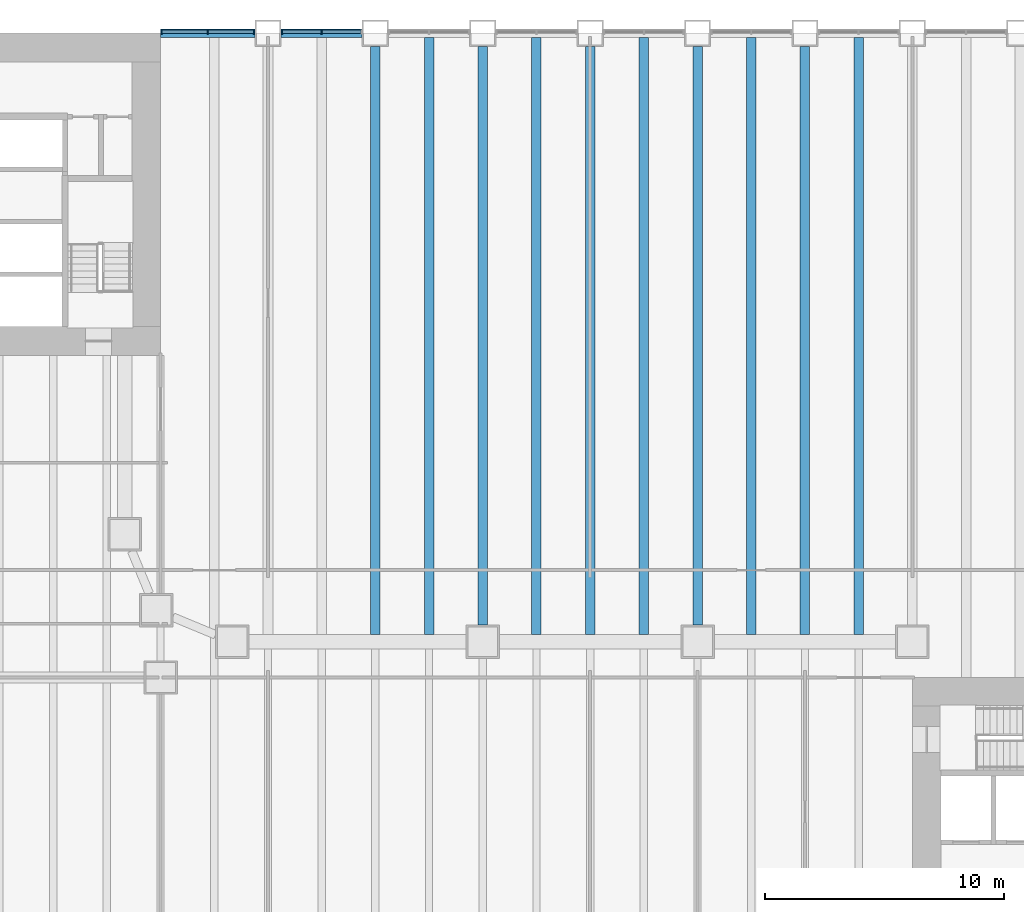
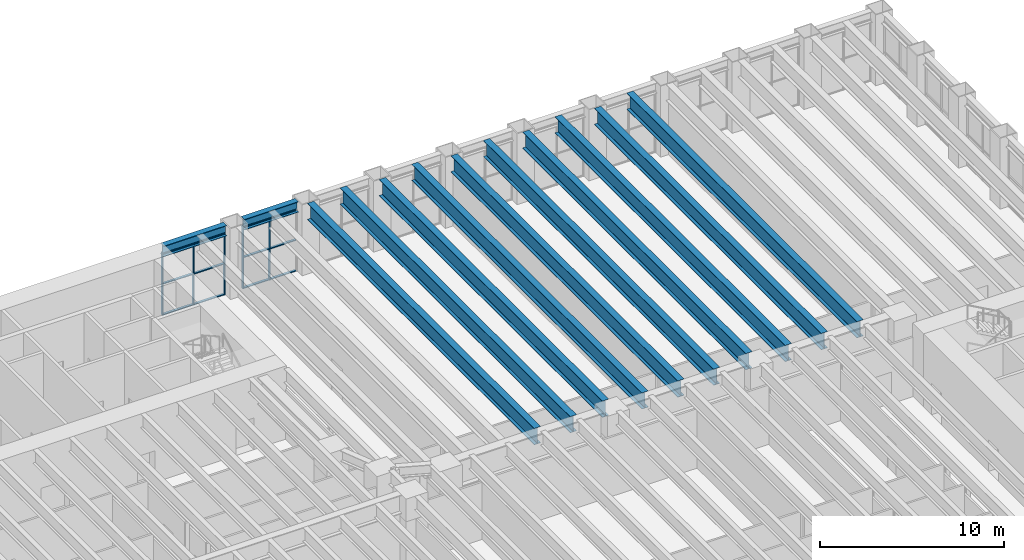
# One storey, part 3 of 21: 17 members, 12 beams, 2 elements without a shape of their own.
"""IFC4 building model written with IfcOpenShell, lengths in metres."""

from ifc_helpers import new_model, si_unit, direction, frame, origin, origin_2d, place, context, subcontext, project, spatial, rectangle, i_section, extrude, material, material_profile, profile_set, type_object, element, aggregate, save


model = new_model("IFC4")

# Units and contexts
model_context = context("Model", 3, precision=1e-05, world=origin(), true_north=direction((0.0, 1.0)))
body_context = subcontext(model_context, "Body", "Model", "MODEL_VIEW")
ifc_project = project(units=[si_unit("LENGTHUNIT", "METRE"), si_unit("AREAUNIT", "SQUARE_METRE"), si_unit("VOLUMEUNIT", "CUBIC_METRE"), si_unit("PLANEANGLEUNIT", "RADIAN"), si_unit("MASSUNIT", "GRAM", prefix="KILO")], contexts=[model_context])

# Site, building, storey
site_placement = place(None, origin())
site = spatial("IfcSite", under=ifc_project, at=site_placement, CompositionType="ELEMENT")
building_placement = place(site_placement, origin())
building = spatial("IfcBuilding", under=site, at=building_placement, Name="Sennacour Bend Tower", CompositionType="ELEMENT")
storey_placement = place(building_placement, frame((0.0, 0.0, 24.0)))
storey = spatial("IfcBuildingStorey", under=building, at=storey_placement, Name="L04", CompositionType="ELEMENT", Elevation=24.0)

# Curtain wall, members
ifc_material_1 = material(Name="Bronze anodised aluminium curtain wall with clear glass", Category="aluminium")
curtain_wall_type = type_object("IfcCurtainWallType", Name="CURTAIN WALL NOTCH", PredefinedType="NOTDEFINED", material=ifc_material_1)
curtain_wall_1_placement = place(storey_placement, origin())
curtain_wall_1 = element("IfcCurtainWall", 1, at=curtain_wall_1_placement, inside=storey, type_object=curtain_wall_type, Name="Podium glass wall L04", PredefinedType="NOTDEFINED")
ifc_material_2 = material(Name="Aluminium 6063-T6", Category="aluminium")
ifc_material_profile_1 = material_profile(ifc_material_2, rectangle(XDim=0.199951171875, YDim=0.06005859375, at=origin_2d()), Name="Aluminium 6063-T6", Category="aluminium")
ifc_profile_set_1 = profile_set([ifc_material_profile_1], Name="Aluminium 6063-T6")
member_type_1 = type_object("IfcMemberType", Name="CW-MULLION-200X60", PredefinedType="MULLION", material=ifc_profile_set_1)
member_1_placement = place(storey_placement, frame((29.25, 49.550048828125, 0.0), z_axis=(0.0, 0.0, 1.0), x_axis=(0.0, -1.0, 0.0)))
member_1 = element("IfcMember", 2, at=member_1_placement, type_object=member_type_1, Name="GW2 curtain wall mullion 2", PredefinedType="MULLION", context=body_context, shape_type="SweptSolid", body=[
    extrude(rectangle(XDim=0.199951171875, YDim=0.06005859375, at=origin_2d()), origin(), (0.0, 0.0, 1.0), 4.135986328125),
])
member_2_placement = place(storey_placement, frame((27.580078125, 49.550048828125, 0.0), z_axis=(0.0, 0.0, 1.0), x_axis=(0.0, -1.0, 0.0)))
member_2 = element("IfcMember", 3, at=member_2_placement, type_object=member_type_1, Name="GW2 curtain wall mullion 3", PredefinedType="MULLION", context=body_context, shape_type="SweptSolid", body=[
    extrude(rectangle(XDim=0.199951171875, YDim=0.06005859375, at=origin_2d()), origin(), (0.0, 0.0, 1.0), 4.135986328125),
])

curtain_wall_2_placement = place(storey_placement, origin())
curtain_wall_2 = element("IfcCurtainWall", 4, at=curtain_wall_2_placement, inside=storey, type_object=curtain_wall_type, Name="Podium glass wall L04", PredefinedType="NOTDEFINED")
member_3_placement = place(storey_placement, frame((26.419921875, 49.550048828125, 0.0), z_axis=(0.0, 0.0, 1.0), x_axis=(0.0, -1.0, 0.0)))
member_3 = element("IfcMember", 5, at=member_3_placement, type_object=member_type_1, Name="GW2 curtain wall mullion 1", PredefinedType="MULLION", context=body_context, shape_type="SweptSolid", body=[
    extrude(rectangle(XDim=0.199951171875, YDim=0.06005859375, at=origin_2d()), origin(), (0.0, 0.0, 1.0), 4.135986328125),
])
member_4_placement = place(storey_placement, frame((24.4755859375, 49.550048828125, 0.0), z_axis=(0.0, 0.0, 1.0), x_axis=(0.0, -1.0, 0.0)))
member_4 = element("IfcMember", 6, at=member_4_placement, type_object=member_type_1, Name="GW2 curtain wall mullion 2", PredefinedType="MULLION", context=body_context, shape_type="SweptSolid", body=[
    extrude(rectangle(XDim=0.199951171875, YDim=0.06005859375, at=origin_2d()), origin(), (0.0, 0.0, 1.0), 4.135986328125),
])
member_5_placement = place(storey_placement, frame((22.531005859375, 49.550048828125, 0.0), z_axis=(0.0, 0.0, 1.0), x_axis=(0.0, -1.0, 0.0)))
member_5 = element("IfcMember", 7, at=member_5_placement, type_object=member_type_1, Name="GW2 curtain wall mullion 3", PredefinedType="MULLION", context=body_context, shape_type="SweptSolid", body=[
    extrude(rectangle(XDim=0.199951171875, YDim=0.06005859375, at=origin_2d()), origin(), (0.0, 0.0, 1.0), 4.135986328125),
])

# Member
ifc_material_profile_2 = material_profile(ifc_material_2, rectangle(XDim=0.14990234375, YDim=0.06005859375, at=origin_2d()), Name="Aluminium 6063-T6", Category="aluminium")
ifc_profile_set_2 = profile_set([ifc_material_profile_2], Name="Aluminium 6063-T6")
member_type_2 = type_object("IfcMemberType", Name="CW-TRANSOM-150X60", PredefinedType="USERDEFINED", material=ifc_profile_set_2)
member_6_placement = place(storey_placement, frame((30.889892578125, 49.550048828125, 0.030029296875), z_axis=(-1.0, 0.0, 0.0), x_axis=(0.0, -1.0, 0.0)))
member_6 = element("IfcMember", 8, at=member_6_placement, type_object=member_type_2, Name="GW2 curtain wall transom 1.1", ObjectType="TRANSOM", PredefinedType="USERDEFINED", context=body_context, shape_type="SweptSolid", body=[
    extrude(rectangle(XDim=0.14990234375, YDim=0.06005859375, at=origin_2d()), origin(), (0.0, 0.0, 1.0), 1.60986328125),
])

member_7_placement = place(storey_placement, frame((30.889892578125, 49.550048828125, 2.068115234375), z_axis=(-1.0, 0.0, 0.0), x_axis=(0.0, -1.0, 0.0)))
member_7 = element("IfcMember", 9, at=member_7_placement, type_object=member_type_2, Name="GW2 curtain wall transom 1.2", ObjectType="TRANSOM", PredefinedType="USERDEFINED", context=body_context, shape_type="SweptSolid", body=[
    extrude(rectangle(XDim=0.14990234375, YDim=0.06005859375, at=origin_2d()), origin(), (0.0, 0.0, 1.0), 1.60986328125),
])

member_8_placement = place(storey_placement, frame((30.889892578125, 49.550048828125, 4.10595703125), z_axis=(-1.0, 0.0, 0.0), x_axis=(0.0, -1.0, 0.0)))
member_8 = element("IfcMember", 10, at=member_8_placement, type_object=member_type_2, Name="GW2 curtain wall transom 1.3", ObjectType="TRANSOM", PredefinedType="USERDEFINED", context=body_context, shape_type="SweptSolid", body=[
    extrude(rectangle(XDim=0.14990234375, YDim=0.06005859375, at=origin_2d()), origin(), (0.0, 0.0, 1.0), 1.60986328125),
])

member_9_placement = place(storey_placement, frame((29.219970703125, 49.550048828125, 0.030029296875), z_axis=(-1.0, 0.0, 0.0), x_axis=(0.0, -1.0, 0.0)))
member_9 = element("IfcMember", 11, at=member_9_placement, type_object=member_type_2, Name="GW2 curtain wall transom 2.1", ObjectType="TRANSOM", PredefinedType="USERDEFINED", context=body_context, shape_type="SweptSolid", body=[
    extrude(rectangle(XDim=0.14990234375, YDim=0.06005859375, at=origin_2d()), origin(), (0.0, 0.0, 1.0), 1.60986328125),
])

member_10_placement = place(storey_placement, frame((29.219970703125, 49.550048828125, 2.068115234375), z_axis=(-1.0, 0.0, 0.0), x_axis=(0.0, -1.0, 0.0)))
member_10 = element("IfcMember", 12, at=member_10_placement, type_object=member_type_2, Name="GW2 curtain wall transom 2.2", ObjectType="TRANSOM", PredefinedType="USERDEFINED", context=body_context, shape_type="SweptSolid", body=[
    extrude(rectangle(XDim=0.14990234375, YDim=0.06005859375, at=origin_2d()), origin(), (0.0, 0.0, 1.0), 1.60986328125),
])

member_11_placement = place(storey_placement, frame((29.219970703125, 49.550048828125, 4.10595703125), z_axis=(-1.0, 0.0, 0.0), x_axis=(0.0, -1.0, 0.0)))
member_11 = element("IfcMember", 13, at=member_11_placement, type_object=member_type_2, Name="GW2 curtain wall transom 2.3", ObjectType="TRANSOM", PredefinedType="USERDEFINED", context=body_context, shape_type="SweptSolid", body=[
    extrude(rectangle(XDim=0.14990234375, YDim=0.06005859375, at=origin_2d()), origin(), (0.0, 0.0, 1.0), 1.60986328125),
])

aggregate(curtain_wall_1, [member_1, member_2, member_6, member_7, member_8, member_9, member_10, member_11])

member_12_placement = place(storey_placement, frame((26.389892578125, 49.550048828125, 0.030029296875), z_axis=(-1.0, 0.0, 0.0), x_axis=(0.0, -1.0, 0.0)))
member_12 = element("IfcMember", 14, at=member_12_placement, type_object=member_type_2, Name="GW2 curtain wall transom 1.1", ObjectType="TRANSOM", PredefinedType="USERDEFINED", context=body_context, shape_type="SweptSolid", body=[
    extrude(rectangle(XDim=0.14990234375, YDim=0.06005859375, at=origin_2d()), origin(), (0.0, 0.0, 1.0), 1.88427734375),
])

member_13_placement = place(storey_placement, frame((26.389892578125, 49.550048828125, 2.068115234375), z_axis=(-1.0, 0.0, 0.0), x_axis=(0.0, -1.0, 0.0)))
member_13 = element("IfcMember", 15, at=member_13_placement, type_object=member_type_2, Name="GW2 curtain wall transom 1.2", ObjectType="TRANSOM", PredefinedType="USERDEFINED", context=body_context, shape_type="SweptSolid", body=[
    extrude(rectangle(XDim=0.14990234375, YDim=0.06005859375, at=origin_2d()), origin(), (0.0, 0.0, 1.0), 1.88427734375),
])

member_14_placement = place(storey_placement, frame((26.389892578125, 49.550048828125, 4.10595703125), z_axis=(-1.0, 0.0, 0.0), x_axis=(0.0, -1.0, 0.0)))
member_14 = element("IfcMember", 16, at=member_14_placement, type_object=member_type_2, Name="GW2 curtain wall transom 1.3", ObjectType="TRANSOM", PredefinedType="USERDEFINED", context=body_context, shape_type="SweptSolid", body=[
    extrude(rectangle(XDim=0.14990234375, YDim=0.06005859375, at=origin_2d()), origin(), (0.0, 0.0, 1.0), 1.88427734375),
])

member_15_placement = place(storey_placement, frame((24.445556640625, 49.550048828125, 0.030029296875), z_axis=(-1.0, 0.0, 0.0), x_axis=(0.0, -1.0, 0.0)))
member_15 = element("IfcMember", 17, at=member_15_placement, type_object=member_type_2, Name="GW2 curtain wall transom 2.1", ObjectType="TRANSOM", PredefinedType="USERDEFINED", context=body_context, shape_type="SweptSolid", body=[
    extrude(rectangle(XDim=0.14990234375, YDim=0.06005859375, at=origin_2d()), origin(), (0.0, 0.0, 1.0), 1.884521484375),
])

member_16_placement = place(storey_placement, frame((24.445556640625, 49.550048828125, 2.068115234375), z_axis=(-1.0, 0.0, 0.0), x_axis=(0.0, -1.0, 0.0)))
member_16 = element("IfcMember", 18, at=member_16_placement, type_object=member_type_2, Name="GW2 curtain wall transom 2.2", ObjectType="TRANSOM", PredefinedType="USERDEFINED", context=body_context, shape_type="SweptSolid", body=[
    extrude(rectangle(XDim=0.14990234375, YDim=0.06005859375, at=origin_2d()), origin(), (0.0, 0.0, 1.0), 1.884521484375),
])

member_17_placement = place(storey_placement, frame((24.445556640625, 49.550048828125, 4.10595703125), z_axis=(-1.0, 0.0, 0.0), x_axis=(0.0, -1.0, 0.0)))
member_17 = element("IfcMember", 19, at=member_17_placement, type_object=member_type_2, Name="GW2 curtain wall transom 2.3", ObjectType="TRANSOM", PredefinedType="USERDEFINED", context=body_context, shape_type="SweptSolid", body=[
    extrude(rectangle(XDim=0.14990234375, YDim=0.06005859375, at=origin_2d()), origin(), (0.0, 0.0, 1.0), 1.884521484375),
])

aggregate(curtain_wall_2, [member_3, member_4, member_5, member_12, member_13, member_14, member_15, member_16, member_17])

# Beams
ifc_material_3 = material(Name="Steel ASTM A992 Grade 50", Category="steel")
ifc_material_profile_3 = material_profile(ifc_material_3, i_section(OverallWidth=0.40087890625, OverallDepth=1.090087890625, WebThickness=0.01806640625, FlangeThickness=0.031005859375, FilletRadius=0.02001953125, at=origin_2d()), Name="Steel ASTM A992 Grade 50", Category="steel")
ifc_profile_set_3 = profile_set([ifc_material_profile_3], Name="Steel ASTM A992 Grade 50")
beam_type_1 = type_object("IfcBeamType", Name="Notch floor beam W1100X343", PredefinedType="BEAM", material=ifc_profile_set_3)
beam_1_placement = place(storey_placement, frame((31.5, 24.300048828125, 4.155029296875), z_axis=(0.0, 1.0, 0.0), x_axis=(-1.0, 0.0, 0.0)))
element("IfcBeam", 20, at=beam_1_placement, inside=storey, type_object=beam_type_1, Name="Floor beam FBM4 L05-034", PredefinedType="BEAM", context=body_context, shape_type="SweptSolid", body=[
    extrude(i_section(OverallWidth=0.40087890625, OverallDepth=1.090087890625, WebThickness=0.01806640625, FlangeThickness=0.031005859375, FilletRadius=0.02001953125, at=origin_2d()), origin(), (0.0, 0.0, 1.0), 24.64990234375),
])
beam_2_placement = place(storey_placement, frame((33.75, 24.300048828125, 4.155029296875), z_axis=(0.0, 1.0, 0.0), x_axis=(-1.0, 0.0, 0.0)))
element("IfcBeam", 21, at=beam_2_placement, inside=storey, type_object=beam_type_1, Name="Floor beam FBM4 L05-037", PredefinedType="BEAM", context=body_context, shape_type="SweptSolid", body=[
    extrude(i_section(OverallWidth=0.40087890625, OverallDepth=1.090087890625, WebThickness=0.01806640625, FlangeThickness=0.031005859375, FilletRadius=0.02001953125, at=origin_2d()), origin(), (0.0, 0.0, 1.0), 25.02099609375),
])
beam_3_placement = place(storey_placement, frame((36.0, 24.699951171875, 4.155029296875), z_axis=(0.0, 1.0, 0.0), x_axis=(-1.0, 0.0, 0.0)))
element("IfcBeam", 22, at=beam_3_placement, inside=storey, type_object=beam_type_1, Name="Floor beam FBM4 L05-039", PredefinedType="BEAM", context=body_context, shape_type="SweptSolid", body=[
    extrude(i_section(OverallWidth=0.40087890625, OverallDepth=1.090087890625, WebThickness=0.01806640625, FlangeThickness=0.031005859375, FilletRadius=0.02001953125, at=origin_2d()), origin(), (0.0, 0.0, 1.0), 24.25),
])
beam_4_placement = place(storey_placement, frame((38.25, 24.300048828125, 4.155029296875), z_axis=(0.0, 1.0, 0.0), x_axis=(-1.0, 0.0, 0.0)))
element("IfcBeam", 23, at=beam_4_placement, inside=storey, type_object=beam_type_1, Name="Floor beam FBM4 L05-042", PredefinedType="BEAM", context=body_context, shape_type="SweptSolid", body=[
    extrude(i_section(OverallWidth=0.40087890625, OverallDepth=1.090087890625, WebThickness=0.01806640625, FlangeThickness=0.031005859375, FilletRadius=0.02001953125, at=origin_2d()), origin(), (0.0, 0.0, 1.0), 25.02099609375),
])
beam_5_placement = place(storey_placement, frame((40.5, 24.300048828125, 4.155029296875), z_axis=(0.0, 1.0, 0.0), x_axis=(-1.0, 0.0, 0.0)))
element("IfcBeam", 24, at=beam_5_placement, inside=storey, type_object=beam_type_1, Name="Floor beam FBM4 L05-044", PredefinedType="BEAM", context=body_context, shape_type="SweptSolid", body=[
    extrude(i_section(OverallWidth=0.40087890625, OverallDepth=1.090087890625, WebThickness=0.01806640625, FlangeThickness=0.031005859375, FilletRadius=0.02001953125, at=origin_2d()), origin(), (0.0, 0.0, 1.0), 24.64990234375),
])
beam_6_placement = place(storey_placement, frame((42.75, 24.300048828125, 4.155029296875), z_axis=(0.0, 1.0, 0.0), x_axis=(-1.0, 0.0, 0.0)))
element("IfcBeam", 25, at=beam_6_placement, inside=storey, type_object=beam_type_1, Name="Floor beam FBM4 L05-047", PredefinedType="BEAM", context=body_context, shape_type="SweptSolid", body=[
    extrude(i_section(OverallWidth=0.40087890625, OverallDepth=1.090087890625, WebThickness=0.01806640625, FlangeThickness=0.031005859375, FilletRadius=0.02001953125, at=origin_2d()), origin(), (0.0, 0.0, 1.0), 25.02099609375),
])
beam_7_placement = place(storey_placement, frame((45.0, 24.699951171875, 4.155029296875), z_axis=(0.0, 1.0, 0.0), x_axis=(-1.0, 0.0, 0.0)))
element("IfcBeam", 26, at=beam_7_placement, inside=storey, type_object=beam_type_1, Name="Floor beam FBM4 L05-049", PredefinedType="BEAM", context=body_context, shape_type="SweptSolid", body=[
    extrude(i_section(OverallWidth=0.40087890625, OverallDepth=1.090087890625, WebThickness=0.01806640625, FlangeThickness=0.031005859375, FilletRadius=0.02001953125, at=origin_2d()), origin(), (0.0, 0.0, 1.0), 24.25),
])
beam_8_placement = place(storey_placement, frame((47.25, 24.300048828125, 4.155029296875), z_axis=(0.0, 1.0, 0.0), x_axis=(-1.0, 0.0, 0.0)))
element("IfcBeam", 27, at=beam_8_placement, inside=storey, type_object=beam_type_1, Name="Floor beam FBM4 L05-052", PredefinedType="BEAM", context=body_context, shape_type="SweptSolid", body=[
    extrude(i_section(OverallWidth=0.40087890625, OverallDepth=1.090087890625, WebThickness=0.01806640625, FlangeThickness=0.031005859375, FilletRadius=0.02001953125, at=origin_2d()), origin(), (0.0, 0.0, 1.0), 25.02099609375),
])
beam_9_placement = place(storey_placement, frame((49.5, 24.300048828125, 4.155029296875), z_axis=(0.0, 1.0, 0.0), x_axis=(-1.0, 0.0, 0.0)))
element("IfcBeam", 28, at=beam_9_placement, inside=storey, type_object=beam_type_1, Name="Floor beam FBM4 L05-054", PredefinedType="BEAM", context=body_context, shape_type="SweptSolid", body=[
    extrude(i_section(OverallWidth=0.40087890625, OverallDepth=1.090087890625, WebThickness=0.01806640625, FlangeThickness=0.031005859375, FilletRadius=0.02001953125, at=origin_2d()), origin(), (0.0, 0.0, 1.0), 24.64990234375),
])
beam_10_placement = place(storey_placement, frame((51.75, 24.300048828125, 4.155029296875), z_axis=(0.0, 1.0, 0.0), x_axis=(-1.0, 0.0, 0.0)))
element("IfcBeam", 29, at=beam_10_placement, inside=storey, type_object=beam_type_1, Name="Floor beam FBM4 L05-057", PredefinedType="BEAM", context=body_context, shape_type="SweptSolid", body=[
    extrude(i_section(OverallWidth=0.40087890625, OverallDepth=1.090087890625, WebThickness=0.01806640625, FlangeThickness=0.031005859375, FilletRadius=0.02001953125, at=origin_2d()), origin(), (0.0, 0.0, 1.0), 25.02099609375),
])
ifc_material_profile_4 = material_profile(ifc_material_3, i_section(OverallWidth=0.35791015625, OverallDepth=0.7060546875, WebThickness=0.018310546875, FlangeThickness=0.0302734375, FilletRadius=0.02001953125, at=origin_2d()), Name="Steel ASTM A992 Grade 50", Category="steel")
ifc_profile_set_4 = profile_set([ifc_material_profile_4], Name="Steel ASTM A992 Grade 50")
beam_type_2 = type_object("IfcBeamType", Name="Spandrel beam W690X265", PredefinedType="SPANDREL", material=ifc_profile_set_4)
beam_11_placement = place(storey_placement, frame((22.5, 49.5, 4.346923828125), z_axis=(1.0, 0.0, 0.0), x_axis=(0.0, 1.0, 0.0)))
element("IfcBeam", 30, at=beam_11_placement, inside=storey, type_object=beam_type_2, Name="Spandrel beam SP2 L05-029", PredefinedType="SPANDREL", context=body_context, shape_type="SweptSolid", body=[
    extrude(i_section(OverallWidth=0.35791015625, OverallDepth=0.7060546875, WebThickness=0.018310546875, FlangeThickness=0.0302734375, FilletRadius=0.02001953125, at=origin_2d()), origin(), (0.0, 0.0, 1.0), 3.949951171875),
])
beam_12_placement = place(storey_placement, frame((27.550048828125, 49.5, 4.346923828125), z_axis=(1.0, 0.0, 0.0), x_axis=(0.0, 1.0, 0.0)))
element("IfcBeam", 31, at=beam_12_placement, inside=storey, type_object=beam_type_2, Name="Spandrel beam SP2 L05-030", PredefinedType="SPANDREL", context=body_context, shape_type="SweptSolid", body=[
    extrude(i_section(OverallWidth=0.35791015625, OverallDepth=0.7060546875, WebThickness=0.018310546875, FlangeThickness=0.0302734375, FilletRadius=0.02001953125, at=origin_2d()), origin(), (0.0, 0.0, 1.0), 3.39990234375),
])

save(model, "model.ifc")
